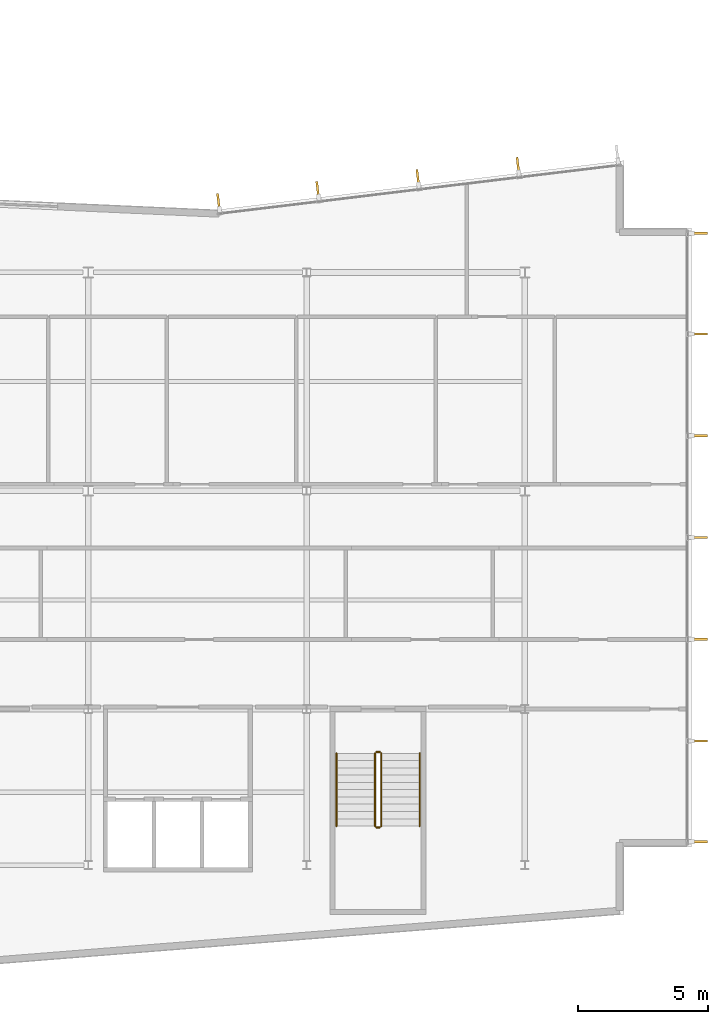
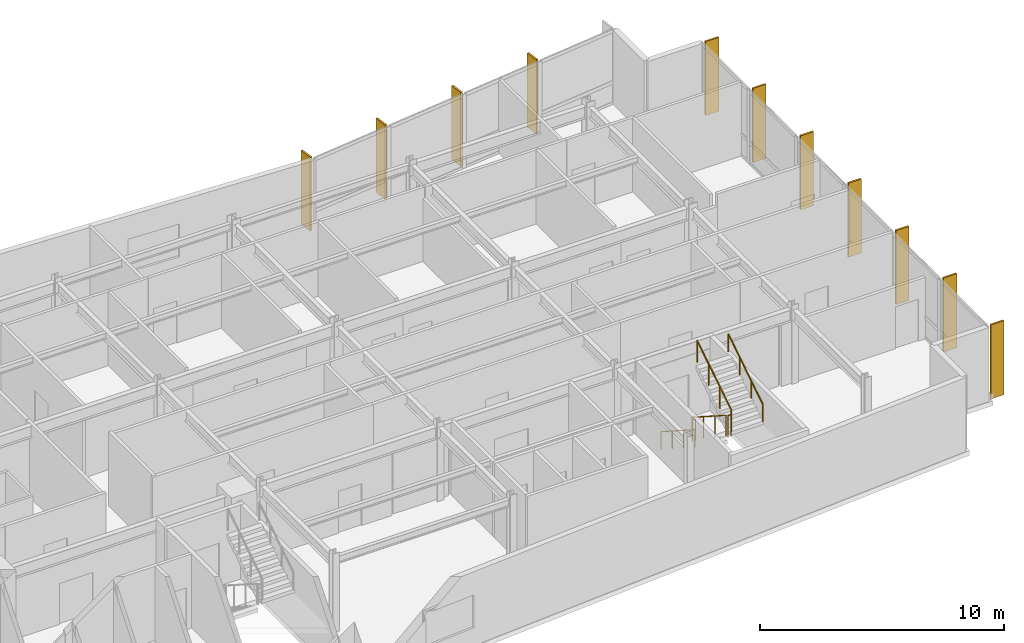
# One storey, part 15 of 17: 11 shading devices, 6 railings.
"""IFC4 building model written with IfcOpenShell, lengths in metres."""

from ifc_helpers import new_model, si_unit, direction, frame, origin, origin_2d, place, context, subcontext, project, spatial, rectangle, circle, extrude, material, layer, layer_set, type_object, element, save


model = new_model("IFC4")

# Units and contexts
model_context = context("Model", 3, precision=1e-05, world=origin(), true_north=direction((0.0, 1.0)))
body_context = subcontext(model_context, "Body", "Model", "MODEL_VIEW")
ifc_project = project(units=[si_unit("LENGTHUNIT", "METRE"), si_unit("AREAUNIT", "SQUARE_METRE"), si_unit("VOLUMEUNIT", "CUBIC_METRE"), si_unit("PLANEANGLEUNIT", "RADIAN"), si_unit("MASSUNIT", "GRAM", prefix="KILO")], contexts=[model_context])

# Site, building, storey
site_placement = place(None, origin())
site = spatial("IfcSite", under=ifc_project, at=site_placement, CompositionType="ELEMENT")
building_placement = place(site_placement, origin())
building = spatial("IfcBuilding", under=site, at=building_placement, Name="Varnakote Quay Hospital", CompositionType="ELEMENT")
storey_placement = place(building_placement, frame((0.0, 0.0, 127.050048828125)))
storey = spatial("IfcBuildingStorey", under=building, at=storey_placement, Name="L31", CompositionType="ELEMENT", Elevation=127.050048828125)

# Railings
ifc_material_1 = material(Name="Brushed stainless steel balustrade", Category="steel")
railing_type_1 = type_object("IfcRailingType", Name="RLG-STAIR-GUARD-1150", PredefinedType="GUARDRAIL", material=ifc_material_1)
railing_1_placement = place(storey_placement, frame((44.6298828125, 10.300048828125, 0.179443359375)))
element("IfcRailing", 1, at=railing_1_placement, inside=storey, type_object=railing_type_1, Name="L31 ST-03 stair guard 1", PredefinedType="GUARDRAIL", context=body_context, shape_type="SweptSolid", body=[
    extrude(circle(Radius=0.02392578125, at=origin_2d()), frame((0.0, 0.0, 1.076171875), z_axis=(0.0, -0.841809871826, 0.539774156196), x_axis=(1.0, 0.0, 0.0)), (0.0, 0.0, 1.0), 3.326171875),
    extrude(circle(Radius=0.02099609375, at=origin_2d()), origin(), (0.0, 0.0, 1.0), 1.052001953125),
    extrude(circle(Radius=0.02099609375, at=origin_2d()), frame((0.0, -0.933349609375, 0.598388671875)), (0.0, 0.0, 1.0), 1.052001953125),
    extrude(circle(Radius=0.02099609375, at=origin_2d()), frame((0.0, -1.86669921875, 1.197021484375)), (0.0, 0.0, 1.0), 1.052001953125),
    extrude(circle(Radius=0.02099609375, at=origin_2d()), frame((0.0, -2.800048828125, 1.79541015625)), (0.0, 0.0, 1.0), 1.052001953125),
])
railing_2_placement = place(storey_placement, frame((44.679931640625, 7.449951171875, 1.974853515625)))
element("IfcRailing", 2, at=railing_2_placement, inside=storey, type_object=railing_type_1, Name="L31 ST-03 stair guard 2", PredefinedType="GUARDRAIL", context=body_context, shape_type="SweptSolid", body=[
    extrude(circle(Radius=0.02392578125, at=origin_2d()), frame((0.0, 0.0, 1.076171875), z_axis=(1.0, 0.0, 0.0), x_axis=(0.0, 1.0, 0.0)), (0.0, 0.0, 1.0), 0.14013671875),
    extrude(circle(Radius=0.02099609375, at=origin_2d()), origin(), (0.0, 0.0, 1.0), 1.052001953125),
    extrude(circle(Radius=0.02099609375, at=origin_2d()), frame((0.14013671875, 0.0, 0.0)), (0.0, 0.0, 1.0), 1.052001953125),
])
railing_3_placement = place(storey_placement, frame((44.8701171875, 7.5, 2.154541015625)))
element("IfcRailing", 3, at=railing_3_placement, inside=storey, type_object=railing_type_1, Name="L31 ST-03 stair guard 3", PredefinedType="GUARDRAIL", context=body_context, shape_type="SweptSolid", body=[
    extrude(circle(Radius=0.02392578125, at=origin_2d()), frame((0.0, 0.0, 1.076171875), z_axis=(0.0, 0.841809871826, 0.539774156196), x_axis=(-1.0, 0.0, 0.0)), (0.0, 0.0, 1.0), 3.326171875),
    extrude(circle(Radius=0.02099609375, at=origin_2d()), origin(), (0.0, 0.0, 1.0), 1.052001953125),
    extrude(circle(Radius=0.02099609375, at=origin_2d()), frame((0.0, 0.933349609375, 0.598388671875)), (0.0, 0.0, 1.0), 1.052001953125),
    extrude(circle(Radius=0.02099609375, at=origin_2d()), frame((0.0, 1.86669921875, 1.197021484375)), (0.0, 0.0, 1.0), 1.052001953125),
    extrude(circle(Radius=0.02099609375, at=origin_2d()), frame((0.0, 2.800048828125, 1.79541015625)), (0.0, 0.0, 1.0), 1.052001953125),
])
railing_4_placement = place(storey_placement, frame((44.679931640625, 10.35009765625, 0.0)))
element("IfcRailing", 4, at=railing_4_placement, inside=storey, type_object=railing_type_1, Name="L31 ST-03 stair guard 4", PredefinedType="GUARDRAIL", context=body_context, shape_type="SweptSolid", body=[
    extrude(circle(Radius=0.02392578125, at=origin_2d()), frame((0.0, 0.0, 1.076171875), z_axis=(1.0, 0.0, 0.0), x_axis=(0.0, 1.0, 0.0)), (0.0, 0.0, 1.0), 0.14013671875),
    extrude(circle(Radius=0.02099609375, at=origin_2d()), origin(), (0.0, 0.0, 1.0), 1.052001953125),
    extrude(circle(Radius=0.02099609375, at=origin_2d()), frame((0.14013671875, 0.0, 0.0)), (0.0, 0.0, 1.0), 1.052001953125),
])
ifc_material_2 = material(Name="Brushed stainless steel handrail", Category="steel")
railing_type_2 = type_object("IfcRailingType", Name="RLG-STAIR-HND-920", PredefinedType="HANDRAIL", material=ifc_material_2)
railing_5_placement = place(storey_placement, frame((43.14990234375, 10.300048828125, 0.179443359375)))
element("IfcRailing", 5, at=railing_5_placement, inside=storey, type_object=railing_type_2, Name="L31 ST-03 stair handrail 1", PredefinedType="HANDRAIL", context=body_context, shape_type="SweptSolid", body=[
    extrude(circle(Radius=0.02392578125, at=origin_2d()), frame((0.0, 0.0, 0.8759765625), z_axis=(0.0, -0.841809871826, 0.539774156196), x_axis=(1.0, 0.0, 0.0)), (0.0, 0.0, 1.0), 3.326171875),
    extrude(circle(Radius=0.02099609375, at=origin_2d()), origin(), (0.0, 0.0, 1.0), 0.851806640625),
    extrude(circle(Radius=0.02099609375, at=origin_2d()), frame((0.0, -0.933349609375, 0.598388671875)), (0.0, 0.0, 1.0), 0.851806640625),
    extrude(circle(Radius=0.02099609375, at=origin_2d()), frame((0.0, -1.86669921875, 1.197021484375)), (0.0, 0.0, 1.0), 0.851806640625),
    extrude(circle(Radius=0.02099609375, at=origin_2d()), frame((0.0, -2.800048828125, 1.79541015625)), (0.0, 0.0, 1.0), 0.851806640625),
])
railing_6_placement = place(storey_placement, frame((46.35009765625, 7.5, 2.154541015625)))
element("IfcRailing", 6, at=railing_6_placement, inside=storey, type_object=railing_type_2, Name="L31 ST-03 stair handrail 2", PredefinedType="HANDRAIL", context=body_context, shape_type="SweptSolid", body=[
    extrude(circle(Radius=0.02392578125, at=origin_2d()), frame((0.0, 0.0, 0.8759765625), z_axis=(0.0, 0.841809871826, 0.539774156196), x_axis=(-1.0, 0.0, 0.0)), (0.0, 0.0, 1.0), 3.326171875),
    extrude(circle(Radius=0.02099609375, at=origin_2d()), origin(), (0.0, 0.0, 1.0), 0.851806640625),
    extrude(circle(Radius=0.02099609375, at=origin_2d()), frame((0.0, 0.933349609375, 0.598388671875)), (0.0, 0.0, 1.0), 0.851806640625),
    extrude(circle(Radius=0.02099609375, at=origin_2d()), frame((0.0, 1.86669921875, 1.197021484375)), (0.0, 0.0, 1.0), 0.851806640625),
    extrude(circle(Radius=0.02099609375, at=origin_2d()), frame((0.0, 2.800048828125, 1.79541015625)), (0.0, 0.0, 1.0), 0.851806640625),
])

# Shading devices
ifc_material_3 = material(Name="Anodised aluminium 6063-T6 Bronze", Category="aluminium")
ifc_layer = layer(ifc_material_3, 0.0849609375)
ifc_layer_set = layer_set([ifc_layer], Name="Anodised aluminium 6063-T6 Bronze")
shading_device_type = type_object("IfcShadingDeviceType", Name="SHD-BRONZE-FIN-620", PredefinedType="USERDEFINED", material=ifc_layer_set)
for number, where, z_axis, x_axis, name in (
    (7, (57.110107421875, 6.8974609375, 0.0), (0.0, 0.0, 1.0), (-1.0, 0.0, 0.0), "L31 Anodised Bronze Vertical Shading FIN"),
    (8, (57.110107421875, 10.773193359375, 0.0), (0.0, 0.0, 1.0), (-1.0, 0.0, 0.0), "L31 Anodised Bronze Vertical Shading FIN"),
    (9, (57.110107421875, 14.686767578125, 0.0), (0.0, 0.0, 1.0), (-1.0, 0.0, 0.0), "L31 Anodised Bronze Vertical Shading FIN"),
    (10, (57.110107421875, 18.60009765625, 0.0), (0.0, 0.0, 1.0), (-1.0, 0.0, 0.0), "L31 Anodised Bronze Vertical Shading FIN"),
    (11, (57.110107421875, 22.51318359375, 0.0), (0.0, 0.0, 1.0), (-1.0, 0.0, 0.0), "L31 Anodised Bronze Vertical Shading FIN"),
    (12, (57.110107421875, 26.4267578125, 0.0), (0.0, 0.0, 1.0), (-1.0, 0.0, 0.0), "L31 Anodised Bronze Vertical Shading FIN"),
    (13, (57.110107421875, 30.302490234375, 0.0), (0.0, 0.0, 1.0), (-1.0, 0.0, 0.0), "L31 Anodised Bronze Vertical Shading FIN"),
    (14, (50.131103515625, 32.9189453125, 0.0), (0.0, 0.0, 1.0), (0.120310105847, -0.992736358975, 0.0), "L31 Anodised Bronze Vertical Shading FIN"),
    (15, (46.278564453125, 32.4521484375, 0.0), (0.0, 0.0, 1.0), (0.120310105847, -0.992736358975, 0.0), "L31 Anodised Bronze Vertical Shading FIN"),
    (16, (42.426025390625, 31.985107421875, 0.0), (0.0, 0.0, 1.0), (0.120310105847, -0.992736358975, 0.0), "L31 Anodised Bronze Vertical Shading FIN"),
    (17, (38.61083984375, 31.522705078125, 0.0), (0.0, 0.0, 1.0), (0.120310105847, -0.992736358975, 0.0), "L31 Anodised Bronze Vertical Shading FIN"),
):
    element("IfcShadingDevice", number, at=place(storey_placement, frame(where, z_axis=z_axis, x_axis=x_axis)), inside=storey, type_object=shading_device_type, Name=name, ObjectType="FIN", PredefinedType="USERDEFINED", context=body_context, shape_type="SweptSolid", body=[
        extrude(rectangle(XDim=0.6201171875, YDim=0.0849609375, at=origin_2d()), origin(), (0.0, 0.0, 1.0), 3.7099609375),
    ])

save(model, "model.ifc")
